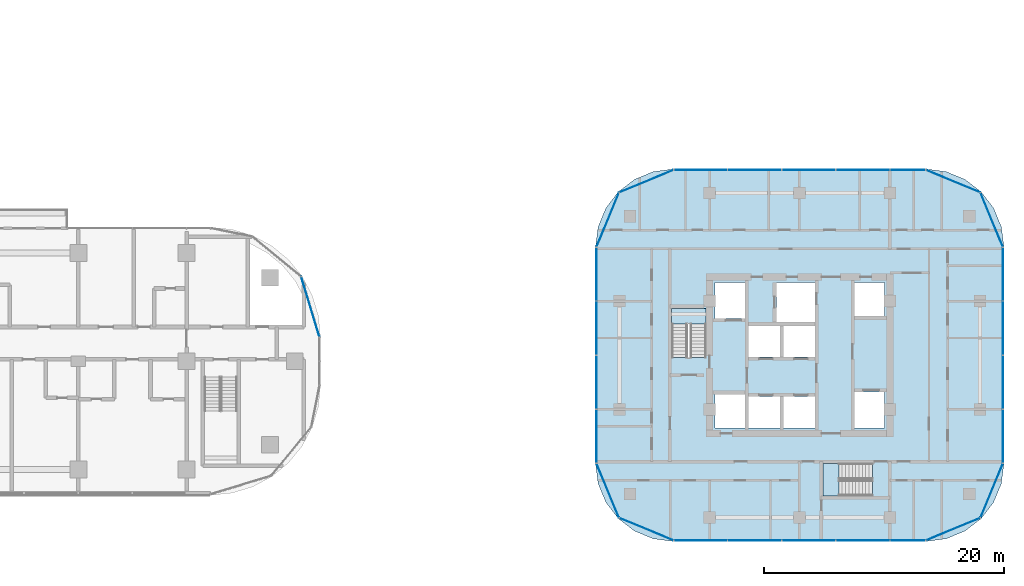
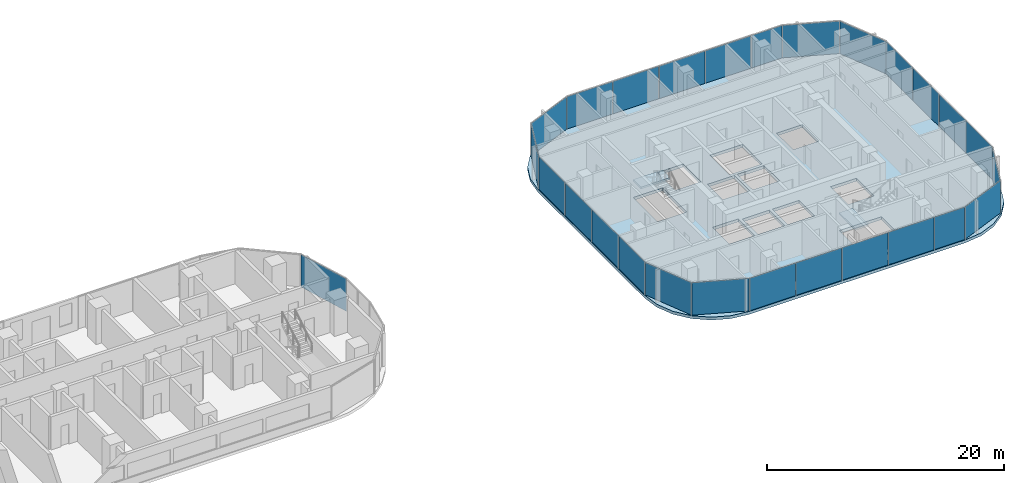
# One storey, part 14 of 32: 27 plates, 3 slabs, 11 elements without a shape of their own.
"""IFC4 building model written with IfcOpenShell, lengths in metres."""

from ifc_helpers import new_model, si_unit, direction, frame, origin, origin_2d, place, context, subcontext, project, spatial, polyline, rectangle, outline, extrude, material, layer, layer_set, type_object, element, aggregate, save


model = new_model("IFC4")

# Units and contexts
model_context = context("Model", 3, precision=1e-05, world=origin(), true_north=direction((0.0, 1.0)))
body_context = subcontext(model_context, "Body", "Model", "MODEL_VIEW")
ifc_project = project(units=[si_unit("LENGTHUNIT", "METRE"), si_unit("AREAUNIT", "SQUARE_METRE"), si_unit("VOLUMEUNIT", "CUBIC_METRE"), si_unit("PLANEANGLEUNIT", "RADIAN"), si_unit("MASSUNIT", "GRAM", prefix="KILO")], contexts=[model_context])

# Site, building, storey
site_placement = place(None, origin())
site = spatial("IfcSite", under=ifc_project, at=site_placement, CompositionType="ELEMENT")
building_placement = place(site_placement, origin())
building = spatial("IfcBuilding", under=site, at=building_placement, Name="Ogive Portal Towers", CompositionType="ELEMENT")
storey_placement = place(building_placement, frame((0.0, 0.0, 55.699951171875)))
storey = spatial("IfcBuildingStorey", under=building, at=storey_placement, Name="L12", CompositionType="ELEMENT", Elevation=55.699951171875)

# Curtain wall, plate
ifc_material_1 = material(Name="Glass, clear low-iron insulated glazing", Category="glass")
curtain_wall_type_1 = type_object("IfcCurtainWallType", Name="CW FRONT RIBBON 4500", PredefinedType="NOTDEFINED", material=ifc_material_1)
curtain_wall_1_placement = place(storey_placement, origin())
curtain_wall_1 = element("IfcCurtainWall", 1, at=curtain_wall_1_placement, inside=storey, type_object=curtain_wall_type_1, Name="A:L12:f13:cwa", PredefinedType="NOTDEFINED")
ifc_layer_1 = layer(ifc_material_1, 0.028076171875)
ifc_layer_set_1 = layer_set([ifc_layer_1], Name="CW PANEL IGU 28")
plate_type = type_object("IfcPlateType", Name="CW PANEL IGU 28", PredefinedType="CURTAIN_PANEL", material=ifc_layer_set_1)
plate_1_placement = place(storey_placement, frame((95.799560546875, 35.01123046875, 0.0), z_axis=(0.0, 0.0, 1.0), x_axis=(-0.290284677254, 0.956940335732, 0.0)))
plate_1 = element("IfcPlate", 2, at=plate_1_placement, type_object=plate_type, Name="panel", PredefinedType="CURTAIN_PANEL", context=body_context, shape_type="SweptSolid", body=[
    extrude(rectangle(XDim=5.213134765625, YDim=0.028076171875, at=origin_2d()), origin(), (0.0, 0.0, 1.0), 3.340087890625),
])
aggregate(curtain_wall_1, [plate_1])

# Curtain wall, plates
curtain_wall_type_2 = type_object("IfcCurtainWallType", Name="CW RESIDENCES RIBBON", PredefinedType="NOTDEFINED", material=ifc_material_1)
curtain_wall_2_placement = place(storey_placement, origin())
curtain_wall_2 = element("IfcCurtainWall", 3, at=curtain_wall_2_placement, inside=storey, type_object=curtain_wall_type_2, Name="B:L12:f02:cw0", PredefinedType="NOTDEFINED")
plate_2_placement = place(storey_placement, frame((128.258056640625, 15.590087890625, 0.0), z_axis=(0.0, 0.0, 1.0), x_axis=(1.0, 0.0, 0.0)))
plate_2 = element("IfcPlate", 4, at=plate_2_placement, type_object=plate_type, Name="panel", PredefinedType="CURTAIN_PANEL", context=body_context, shape_type="SweptSolid", body=[
    extrude(rectangle(XDim=4.424072265625, YDim=0.028076171875, at=origin_2d()), origin(), (0.0, 0.0, 1.0), 3.340087890625),
])
plate_3_placement = place(storey_placement, frame((132.75, 15.590087890625, 0.0), z_axis=(0.0, 0.0, 1.0), x_axis=(1.0, 0.0, 0.0)))
plate_3 = element("IfcPlate", 5, at=plate_3_placement, type_object=plate_type, Name="panel", PredefinedType="CURTAIN_PANEL", context=body_context, shape_type="SweptSolid", body=[
    extrude(rectangle(XDim=4.43994140625, YDim=0.028076171875, at=origin_2d()), origin(), (0.0, 0.0, 1.0), 3.340087890625),
])
plate_4_placement = place(storey_placement, frame((137.25, 15.590087890625, 0.0), z_axis=(0.0, 0.0, 1.0), x_axis=(1.0, 0.0, 0.0)))
plate_4 = element("IfcPlate", 6, at=plate_4_placement, type_object=plate_type, Name="panel", PredefinedType="CURTAIN_PANEL", context=body_context, shape_type="SweptSolid", body=[
    extrude(rectangle(XDim=4.43994140625, YDim=0.028076171875, at=origin_2d()), origin(), (0.0, 0.0, 1.0), 3.340087890625),
])
plate_5_placement = place(storey_placement, frame((141.75, 15.590087890625, 0.0), z_axis=(0.0, 0.0, 1.0), x_axis=(1.0, 0.0, 0.0)))
plate_5 = element("IfcPlate", 7, at=plate_5_placement, type_object=plate_type, Name="panel", PredefinedType="CURTAIN_PANEL", context=body_context, shape_type="SweptSolid", body=[
    extrude(rectangle(XDim=4.43994140625, YDim=0.028076171875, at=origin_2d()), origin(), (0.0, 0.0, 1.0), 3.340087890625),
])
plate_6_placement = place(storey_placement, frame((145.491943359375, 15.590087890625, 0.0), z_axis=(0.0, 0.0, 1.0), x_axis=(1.0, 0.0, 0.0)))
plate_6 = element("IfcPlate", 8, at=plate_6_placement, type_object=plate_type, Name="panel", PredefinedType="CURTAIN_PANEL", context=body_context, shape_type="SweptSolid", body=[
    extrude(rectangle(XDim=2.924072265625, YDim=0.028076171875, at=origin_2d()), origin(), (0.0, 0.0, 1.0), 3.340087890625),
])
aggregate(curtain_wall_2, [plate_2, plate_3, plate_4, plate_5, plate_6])

curtain_wall_3_placement = place(storey_placement, origin())
curtain_wall_3 = element("IfcCurtainWall", 9, at=curtain_wall_3_placement, inside=storey, type_object=curtain_wall_type_2, Name="B:L12:f05:cw0", PredefinedType="NOTDEFINED")
plate_7_placement = place(storey_placement, frame((153.409912109375, 24.258056640625, 0.0), z_axis=(0.0, 0.0, 1.0), x_axis=(0.0, 1.0, 0.0)))
plate_7 = element("IfcPlate", 10, at=plate_7_placement, type_object=plate_type, Name="panel", PredefinedType="CURTAIN_PANEL", context=body_context, shape_type="SweptSolid", body=[
    extrude(rectangle(XDim=4.424072265625, YDim=0.028076171875, at=origin_2d()), origin(), (0.0, 0.0, 1.0), 3.340087890625),
])
plate_8_placement = place(storey_placement, frame((153.409912109375, 28.75, 0.0), z_axis=(0.0, 0.0, 1.0), x_axis=(0.0, 1.0, 0.0)))
plate_8 = element("IfcPlate", 11, at=plate_8_placement, type_object=plate_type, Name="panel", PredefinedType="CURTAIN_PANEL", context=body_context, shape_type="SweptSolid", body=[
    extrude(rectangle(XDim=4.43994140625, YDim=0.028076171875, at=origin_2d()), origin(), (0.0, 0.0, 1.0), 3.340087890625),
])
plate_9_placement = place(storey_placement, frame((153.409912109375, 33.25, 0.0), z_axis=(0.0, 0.0, 1.0), x_axis=(0.0, 1.0, 0.0)))
plate_9 = element("IfcPlate", 12, at=plate_9_placement, type_object=plate_type, Name="panel", PredefinedType="CURTAIN_PANEL", context=body_context, shape_type="SweptSolid", body=[
    extrude(rectangle(XDim=4.43994140625, YDim=0.028076171875, at=origin_2d()), origin(), (0.0, 0.0, 1.0), 3.340087890625),
])
plate_10_placement = place(storey_placement, frame((153.409912109375, 37.741943359375, 0.0), z_axis=(0.0, 0.0, 1.0), x_axis=(0.0, 1.0, 0.0)))
plate_10 = element("IfcPlate", 13, at=plate_10_placement, type_object=plate_type, Name="panel", PredefinedType="CURTAIN_PANEL", context=body_context, shape_type="SweptSolid", body=[
    extrude(rectangle(XDim=4.424072265625, YDim=0.028076171875, at=origin_2d()), origin(), (0.0, 0.0, 1.0), 3.340087890625),
])
aggregate(curtain_wall_3, [plate_7, plate_8, plate_9, plate_10])

curtain_wall_4_placement = place(storey_placement, origin())
curtain_wall_4 = element("IfcCurtainWall", 14, at=curtain_wall_4_placement, inside=storey, type_object=curtain_wall_type_2, Name="B:L12:f08:cw0", PredefinedType="NOTDEFINED")
plate_11_placement = place(storey_placement, frame((145.491943359375, 46.409912109375, 0.0), z_axis=(0.0, 0.0, 1.0), x_axis=(-1.0, 0.0, 0.0)))
plate_11 = element("IfcPlate", 15, at=plate_11_placement, type_object=plate_type, Name="panel", PredefinedType="CURTAIN_PANEL", context=body_context, shape_type="SweptSolid", body=[
    extrude(rectangle(XDim=2.924072265625, YDim=0.028076171875, at=origin_2d()), origin(), (0.0, 0.0, 1.0), 3.340087890625),
])
plate_12_placement = place(storey_placement, frame((141.75, 46.409912109375, 0.0), z_axis=(0.0, 0.0, 1.0), x_axis=(-1.0, 0.0, 0.0)))
plate_12 = element("IfcPlate", 16, at=plate_12_placement, type_object=plate_type, Name="panel", PredefinedType="CURTAIN_PANEL", context=body_context, shape_type="SweptSolid", body=[
    extrude(rectangle(XDim=4.43994140625, YDim=0.028076171875, at=origin_2d()), origin(), (0.0, 0.0, 1.0), 3.340087890625),
])
plate_13_placement = place(storey_placement, frame((137.25, 46.409912109375, 0.0), z_axis=(0.0, 0.0, 1.0), x_axis=(-1.0, 0.0, 0.0)))
plate_13 = element("IfcPlate", 17, at=plate_13_placement, type_object=plate_type, Name="panel", PredefinedType="CURTAIN_PANEL", context=body_context, shape_type="SweptSolid", body=[
    extrude(rectangle(XDim=4.43994140625, YDim=0.028076171875, at=origin_2d()), origin(), (0.0, 0.0, 1.0), 3.340087890625),
])
plate_14_placement = place(storey_placement, frame((132.75, 46.409912109375, 0.0), z_axis=(0.0, 0.0, 1.0), x_axis=(-1.0, 0.0, 0.0)))
plate_14 = element("IfcPlate", 18, at=plate_14_placement, type_object=plate_type, Name="panel", PredefinedType="CURTAIN_PANEL", context=body_context, shape_type="SweptSolid", body=[
    extrude(rectangle(XDim=4.43994140625, YDim=0.028076171875, at=origin_2d()), origin(), (0.0, 0.0, 1.0), 3.340087890625),
])
plate_15_placement = place(storey_placement, frame((128.258056640625, 46.409912109375, 0.0), z_axis=(0.0, 0.0, 1.0), x_axis=(-1.0, 0.0, 0.0)))
plate_15 = element("IfcPlate", 19, at=plate_15_placement, type_object=plate_type, Name="panel", PredefinedType="CURTAIN_PANEL", context=body_context, shape_type="SweptSolid", body=[
    extrude(rectangle(XDim=4.424072265625, YDim=0.028076171875, at=origin_2d()), origin(), (0.0, 0.0, 1.0), 3.340087890625),
])
aggregate(curtain_wall_4, [plate_11, plate_12, plate_13, plate_14, plate_15])

curtain_wall_5_placement = place(storey_placement, origin())
curtain_wall_5 = element("IfcCurtainWall", 20, at=curtain_wall_5_placement, inside=storey, type_object=curtain_wall_type_2, Name="B:L12:f11:cw0", PredefinedType="NOTDEFINED")
plate_16_placement = place(storey_placement, frame((119.590087890625, 37.741943359375, 0.0), z_axis=(0.0, 0.0, 1.0), x_axis=(0.0, -1.0, 0.0)))
plate_16 = element("IfcPlate", 21, at=plate_16_placement, type_object=plate_type, Name="panel", PredefinedType="CURTAIN_PANEL", context=body_context, shape_type="SweptSolid", body=[
    extrude(rectangle(XDim=4.424072265625, YDim=0.028076171875, at=origin_2d()), origin(), (0.0, 0.0, 1.0), 3.340087890625),
])
plate_17_placement = place(storey_placement, frame((119.590087890625, 33.25, 0.0), z_axis=(0.0, 0.0, 1.0), x_axis=(0.0, -1.0, 0.0)))
plate_17 = element("IfcPlate", 22, at=plate_17_placement, type_object=plate_type, Name="panel", PredefinedType="CURTAIN_PANEL", context=body_context, shape_type="SweptSolid", body=[
    extrude(rectangle(XDim=4.43994140625, YDim=0.028076171875, at=origin_2d()), origin(), (0.0, 0.0, 1.0), 3.340087890625),
])
plate_18_placement = place(storey_placement, frame((119.590087890625, 28.75, 0.0), z_axis=(0.0, 0.0, 1.0), x_axis=(0.0, -1.0, 0.0)))
plate_18 = element("IfcPlate", 23, at=plate_18_placement, type_object=plate_type, Name="panel", PredefinedType="CURTAIN_PANEL", context=body_context, shape_type="SweptSolid", body=[
    extrude(rectangle(XDim=4.43994140625, YDim=0.028076171875, at=origin_2d()), origin(), (0.0, 0.0, 1.0), 3.340087890625),
])
plate_19_placement = place(storey_placement, frame((119.590087890625, 24.258056640625, 0.0), z_axis=(0.0, 0.0, 1.0), x_axis=(0.0, -1.0, 0.0)))
plate_19 = element("IfcPlate", 24, at=plate_19_placement, type_object=plate_type, Name="panel", PredefinedType="CURTAIN_PANEL", context=body_context, shape_type="SweptSolid", body=[
    extrude(rectangle(XDim=4.424072265625, YDim=0.028076171875, at=origin_2d()), origin(), (0.0, 0.0, 1.0), 3.340087890625),
])
aggregate(curtain_wall_5, [plate_16, plate_17, plate_18, plate_19])

curtain_wall_6_placement = place(storey_placement, origin())
curtain_wall_6 = element("IfcCurtainWall", 25, at=curtain_wall_6_placement, inside=storey, type_object=curtain_wall_type_2, Name="B:L12:f00:cwa", PredefinedType="NOTDEFINED")
plate_20_placement = place(storey_placement, frame((120.531005859375, 19.743896484375, 0.0), z_axis=(0.0, 0.0, 1.0), x_axis=(0.382683432365, -0.923879532511, 0.0)))
plate_20 = element("IfcPlate", 26, at=plate_20_placement, type_object=plate_type, Name="panel", PredefinedType="CURTAIN_PANEL", context=body_context, shape_type="SweptSolid", body=[
    extrude(rectangle(XDim=4.858154296875, YDim=0.028076171875, at=origin_2d()), origin(), (0.0, 0.0, 1.0), 3.340087890625),
])
plate_21_placement = place(storey_placement, frame((123.743896484375, 16.531005859375, 0.0), z_axis=(0.0, 0.0, 1.0), x_axis=(0.923879532511, -0.382683432365, 0.0)))
plate_21 = element("IfcPlate", 27, at=plate_21_placement, type_object=plate_type, Name="panel", PredefinedType="CURTAIN_PANEL", context=body_context, shape_type="SweptSolid", body=[
    extrude(rectangle(XDim=4.858154296875, YDim=0.028076171875, at=origin_2d()), origin(), (0.0, 0.0, 1.0), 3.340087890625),
])
aggregate(curtain_wall_6, [plate_20, plate_21])

curtain_wall_7_placement = place(storey_placement, origin())
curtain_wall_7 = element("IfcCurtainWall", 28, at=curtain_wall_7_placement, inside=storey, type_object=curtain_wall_type_2, Name="B:L12:f03:cwa", PredefinedType="NOTDEFINED")
plate_22_placement = place(storey_placement, frame((149.256103515625, 16.531005859375, 0.0), z_axis=(0.0, 0.0, 1.0), x_axis=(0.923879532511, 0.382683432365, 0.0)))
plate_22 = element("IfcPlate", 29, at=plate_22_placement, type_object=plate_type, Name="panel", PredefinedType="CURTAIN_PANEL", context=body_context, shape_type="SweptSolid", body=[
    extrude(rectangle(XDim=4.858154296875, YDim=0.028076171875, at=origin_2d()), origin(), (0.0, 0.0, 1.0), 3.340087890625),
])
plate_23_placement = place(storey_placement, frame((152.468994140625, 19.743896484375, 0.0), z_axis=(0.0, 0.0, 1.0), x_axis=(0.382683432365, 0.923879532511, 0.0)))
plate_23 = element("IfcPlate", 30, at=plate_23_placement, type_object=plate_type, Name="panel", PredefinedType="CURTAIN_PANEL", context=body_context, shape_type="SweptSolid", body=[
    extrude(rectangle(XDim=4.858154296875, YDim=0.028076171875, at=origin_2d()), origin(), (0.0, 0.0, 1.0), 3.340087890625),
])
aggregate(curtain_wall_7, [plate_22, plate_23])

curtain_wall_8_placement = place(storey_placement, origin())
curtain_wall_8 = element("IfcCurtainWall", 31, at=curtain_wall_8_placement, inside=storey, type_object=curtain_wall_type_2, Name="B:L12:f06:cwa", PredefinedType="NOTDEFINED")
plate_24_placement = place(storey_placement, frame((152.468994140625, 42.256103515625, 0.0), z_axis=(0.0, 0.0, 1.0), x_axis=(-0.382683432365, 0.923879532511, 0.0)))
plate_24 = element("IfcPlate", 32, at=plate_24_placement, type_object=plate_type, Name="panel", PredefinedType="CURTAIN_PANEL", context=body_context, shape_type="SweptSolid", body=[
    extrude(rectangle(XDim=4.858154296875, YDim=0.028076171875, at=origin_2d()), origin(), (0.0, 0.0, 1.0), 3.340087890625),
])
plate_25_placement = place(storey_placement, frame((149.256103515625, 45.468994140625, 0.0), z_axis=(0.0, 0.0, 1.0), x_axis=(-0.923879532511, 0.382683432365, 0.0)))
plate_25 = element("IfcPlate", 33, at=plate_25_placement, type_object=plate_type, Name="panel", PredefinedType="CURTAIN_PANEL", context=body_context, shape_type="SweptSolid", body=[
    extrude(rectangle(XDim=4.858154296875, YDim=0.028076171875, at=origin_2d()), origin(), (0.0, 0.0, 1.0), 3.340087890625),
])
aggregate(curtain_wall_8, [plate_24, plate_25])

curtain_wall_9_placement = place(storey_placement, origin())
curtain_wall_9 = element("IfcCurtainWall", 34, at=curtain_wall_9_placement, inside=storey, type_object=curtain_wall_type_2, Name="B:L12:f09:cwa", PredefinedType="NOTDEFINED")
plate_26_placement = place(storey_placement, frame((123.743896484375, 45.468994140625, 0.0), z_axis=(0.0, 0.0, 1.0), x_axis=(-0.923879532511, -0.382683432365, 0.0)))
plate_26 = element("IfcPlate", 35, at=plate_26_placement, type_object=plate_type, Name="panel", PredefinedType="CURTAIN_PANEL", context=body_context, shape_type="SweptSolid", body=[
    extrude(rectangle(XDim=4.858154296875, YDim=0.028076171875, at=origin_2d()), origin(), (0.0, 0.0, 1.0), 3.340087890625),
])
plate_27_placement = place(storey_placement, frame((120.531005859375, 42.256103515625, 0.0), z_axis=(0.0, 0.0, 1.0), x_axis=(-0.382683432365, -0.923879532511, 0.0)))
plate_27 = element("IfcPlate", 36, at=plate_27_placement, type_object=plate_type, Name="panel", PredefinedType="CURTAIN_PANEL", context=body_context, shape_type="SweptSolid", body=[
    extrude(rectangle(XDim=4.858154296875, YDim=0.028076171875, at=origin_2d()), origin(), (0.0, 0.0, 1.0), 3.340087890625),
])
aggregate(curtain_wall_9, [plate_26, plate_27])

# Stair, slab
ifc_material_2 = material(Name="Concrete C40/50", Category="concrete")
stair_type = type_object("IfcStairType", Name="INT-STAIR", PredefinedType="HALF_TURN_STAIR", material=ifc_material_2)
stair_1_placement = place(storey_placement, origin())
stair_1 = element("IfcStair", 37, at=stair_1_placement, inside=storey, type_object=stair_type, Name="L12 Exit Stair ST-B1", PredefinedType="HALF_TURN_STAIR")
ifc_layer_2 = layer(ifc_material_2, 0.199951171875)
ifc_layer_set_2 = layer_set([ifc_layer_2], Name="INT-LANDING")
slab_type_1 = type_object("IfcSlabType", Name="INT-LANDING", PredefinedType="LANDING", material=ifc_layer_set_2)
slab_1_placement = place(storey_placement, frame((0.0, 0.0, 1.650146484375)))
slab_1 = element("IfcSlab", 38, at=slab_1_placement, type_object=slab_type_1, Name="ST-B1 landing 1", PredefinedType="LANDING", context=body_context, shape_type="SweptSolid", body=[
    extrude(outline(polyline([(128.699951171875, 33.60009765625), (128.699951171875, 34.89990234375), (125.85009765625, 34.89990234375), (125.85009765625, 33.60009765625), (128.699951171875, 33.60009765625)])), origin(), (0.0, 0.0, 1.0), 0.199951171875),
])
aggregate(stair_1, [slab_1])

stair_2_placement = place(storey_placement, origin())
stair_2 = element("IfcStair", 39, at=stair_2_placement, inside=storey, type_object=stair_type, Name="L12 Exit Stair ST-B2", PredefinedType="HALF_TURN_STAIR")
slab_2_placement = place(storey_placement, frame((0.0, 0.0, 1.650146484375)))
slab_2 = element("IfcSlab", 40, at=slab_2_placement, type_object=slab_type_1, Name="ST-B2 landing 1", PredefinedType="LANDING", context=body_context, shape_type="SweptSolid", body=[
    extrude(outline(polyline([(139.75, 22.0), (138.449951171875, 22.0), (138.449951171875, 19.300048828125), (139.75, 19.300048828125), (139.75, 22.0)])), origin(), (0.0, 0.0, 1.0), 0.199951171875),
])
aggregate(stair_2, [slab_2])

# Slab
ifc_material_3 = material(Name="Concrete C45/55", Category="concrete")
ifc_layer_3 = layer(ifc_material_3, 0.300048828125)
ifc_layer_set_3 = layer_set([ifc_layer_3], Name="PT FLAT PLATE 300")
slab_type_2 = type_object("IfcSlabType", Name="PT FLAT PLATE 300", PredefinedType="FLOOR", material=ifc_layer_set_3)
slab_3_placement = place(storey_placement, frame((0.0, 0.0, -0.300048828125)))
element("IfcSlab", 41, at=slab_3_placement, inside=storey, type_object=slab_type_2, Name="Floor slab L12", PredefinedType="FLOOR", context=body_context, shape_type="SweptSolid", body=[
    extrude(outline(polyline([(119.510009765625, 40.0), (119.510009765625, 22.0), (119.731201171875, 20.3203125), (120.37939453125, 18.7548828125), (121.410888671875, 17.410888671875), (122.7548828125, 16.37939453125), (124.3203125, 15.731201171875), (126.0, 15.510009765625), (147.0, 15.510009765625), (148.6796875, 15.731201171875), (150.2451171875, 16.37939453125), (151.589111328125, 17.410888671875), (152.62060546875, 18.7548828125), (153.268798828125, 20.3203125), (153.489990234375, 22.0), (153.489990234375, 40.0), (153.268798828125, 41.6796875), (152.62060546875, 43.2451171875), (151.589111328125, 44.589111328125), (150.2451171875, 45.62060546875), (148.6796875, 46.268798828125), (147.0, 46.489990234375), (126.0, 46.489990234375), (124.3203125, 46.268798828125), (122.7548828125, 45.62060546875), (121.410888671875, 44.589111328125), (120.37939453125, 43.2451171875), (119.731201171875, 41.6796875), (119.510009765625, 40.0)]), holes=[polyline([(131.949951171875, 27.75), (131.949951171875, 24.949951171875), (129.449951171875, 24.949951171875), (129.449951171875, 27.75), (131.949951171875, 27.75)]), polyline([(134.85009765625, 33.449951171875), (134.85009765625, 30.85009765625), (132.25, 30.85009765625), (132.25, 33.449951171875), (134.85009765625, 33.449951171875)]), polyline([(128.697998046875, 34.89794921875), (128.697998046875, 30.802001953125), (125.85205078125, 30.802001953125), (125.85205078125, 34.89794921875), (128.697998046875, 34.89794921875)]), polyline([(131.949951171875, 37.050048828125), (131.949951171875, 34.050048828125), (129.449951171875, 34.050048828125), (129.449951171875, 37.050048828125), (131.949951171875, 37.050048828125)]), polyline([(138.451904296875, 21.998046875), (142.548095703125, 21.998046875), (142.548095703125, 19.302001953125), (138.451904296875, 19.302001953125), (138.451904296875, 21.998046875)]), polyline([(134.85009765625, 27.550048828125), (134.85009765625, 24.949951171875), (132.25, 24.949951171875), (132.25, 27.550048828125), (134.85009765625, 27.550048828125)]), polyline([(137.75, 27.550048828125), (137.75, 24.949951171875), (135.14990234375, 24.949951171875), (135.14990234375, 27.550048828125), (137.75, 27.550048828125)]), polyline([(143.550048828125, 27.949951171875), (143.550048828125, 24.949951171875), (141.050048828125, 24.949951171875), (141.050048828125, 27.949951171875), (143.550048828125, 27.949951171875)]), polyline([(137.75, 33.449951171875), (137.75, 30.85009765625), (135.14990234375, 30.85009765625), (135.14990234375, 33.449951171875), (137.75, 33.449951171875)]), polyline([(137.75, 37.050048828125), (137.75, 33.75), (134.550048828125, 33.75), (134.550048828125, 37.050048828125), (137.75, 37.050048828125)]), polyline([(143.550048828125, 37.050048828125), (143.550048828125, 34.25), (141.050048828125, 34.25), (141.050048828125, 37.050048828125), (143.550048828125, 37.050048828125)])]), origin(), (0.0, 0.0, 1.0), 0.300048828125),
])

save(model, "model.ifc")
